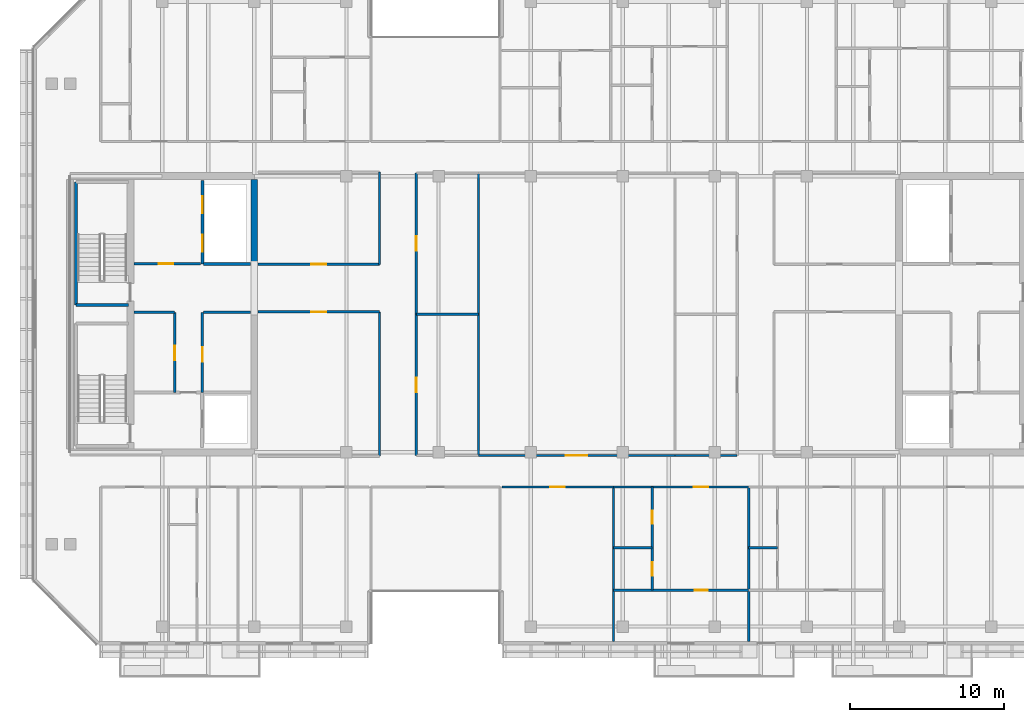
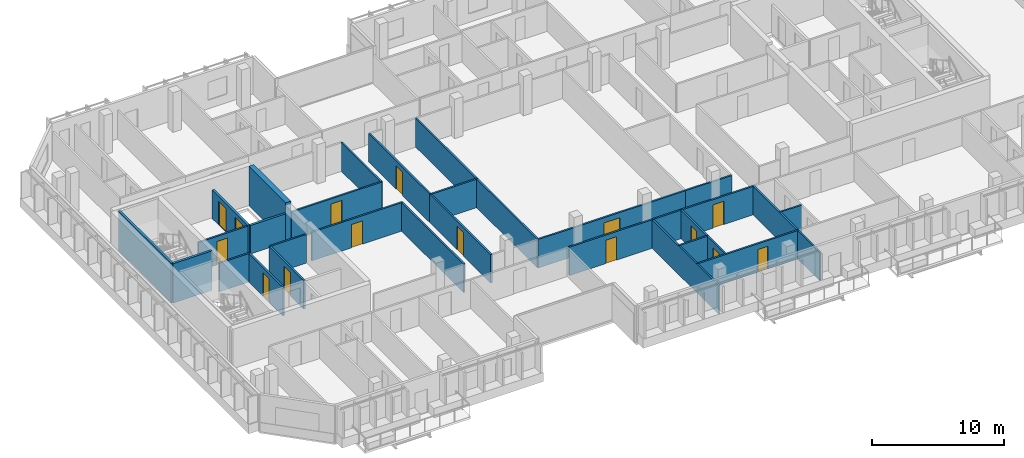
# One storey, part 7 of 17: 28 walls, 15 doors, 15 openings.
"""IFC4 building model written with IfcOpenShell, lengths in metres."""

from ifc_helpers import new_model, si_unit, direction, frame, frame_2d, origin, place, context, subcontext, project, spatial, rectangle, extrude, material, layer, layer_set, type_object, element, fill, save


model = new_model("IFC4")

# Units and contexts
model_context = context("Model", 3, precision=1e-05, world=origin(), true_north=direction((0.0, 1.0)))
body_context = subcontext(model_context, "Body", "Model", "MODEL_VIEW")
ifc_project = project(units=[si_unit("LENGTHUNIT", "METRE"), si_unit("AREAUNIT", "SQUARE_METRE"), si_unit("VOLUMEUNIT", "CUBIC_METRE"), si_unit("PLANEANGLEUNIT", "RADIAN"), si_unit("MASSUNIT", "GRAM", prefix="KILO")], contexts=[model_context])

# Site, building, storey
site_placement = place(None, origin())
site = spatial("IfcSite", under=ifc_project, at=site_placement, CompositionType="ELEMENT")
building_placement = place(site_placement, origin())
building = spatial("IfcBuilding", under=site, at=building_placement, Name="Tanjung Sevakor Pilgrim Tower", CompositionType="ELEMENT")
storey_placement = place(building_placement, frame((0.0, 0.0, 219.1201171875)))
storey = spatial("IfcBuildingStorey", under=building, at=storey_placement, Name="L61", CompositionType="ELEMENT", Elevation=219.1201171875)

# Walls
ifc_material_1 = material(Name="Concrete C60/75", Category="concrete")
ifc_layer_1 = layer(ifc_material_1, 0.449951171875)
ifc_layer_set_1 = layer_set([ifc_layer_1], Name="WALL-CW-450")
wall_type_1 = type_object("IfcWallType", Name="WALL-CW-450", PredefinedType="SHEAR", material=ifc_layer_set_1)
wall_1_placement = place(storey_placement, frame((36.0, 36.800048828125, 0.0), z_axis=(0.0, 0.0, 1.0), x_axis=(0.0, 1.0, 0.0)))
element("IfcWall", 1, at=wall_1_placement, inside=storey, type_object=wall_type_1, Name="L61 W Core Inner Shear Wall North", PredefinedType="SHEAR", context=body_context, shape_type="SweptSolid", body=[
    extrude(rectangle(XDim=5.574951171875, YDim=0.449951171875, at=frame_2d((2.78759765625, 0.0))), origin(), (0.0, 0.0, 1.0), 3.6298828125),
])
ifc_material_2 = material(Name="Concrete C40/50", Category="concrete")
ifc_layer_2 = layer(ifc_material_2, 0.14990234375)
ifc_layer_set_2 = layer_set([ifc_layer_2], Name="WT-COMP-150")
wall_type_2 = type_object("IfcWallType", Name="WT-COMP-150", PredefinedType="SOLIDWALL", material=ifc_layer_set_2)
wall_2_placement = place(storey_placement, frame((28.169921875, 33.719970703125, 0.0), z_axis=(0.0, 0.0, 1.0), x_axis=(1.0, 0.0, 0.0)))
element("IfcWall", 2, at=wall_2_placement, inside=storey, type_object=wall_type_2, Name="L61 Partition IW-L61-003", PredefinedType="SOLIDWALL", context=body_context, shape_type="SweptSolid", body=[
    extrude(rectangle(XDim=2.630126953125, YDim=0.14990234375, at=frame_2d((1.31494140625, 0.0))), origin(), (0.0, 0.0, 1.0), 2.6298828125),
])

# Wall, opening, door
wall_3_placement = place(storey_placement, frame((30.820068359375, 28.5, 0.0), z_axis=(0.0, 0.0, 1.0), x_axis=(0.0, 1.0, 0.0)))
wall_3 = element("IfcWall", 3, at=wall_3_placement, inside=storey, type_object=wall_type_2, Name="L61 Partition IW-L61-004", PredefinedType="SOLIDWALL", context=body_context, shape_type="SweptSolid", body=[
    extrude(rectangle(XDim=5.219970703125, YDim=0.14990234375, at=frame_2d((2.60986328125, 0.0))), origin(), (0.0, 0.0, 1.0), 2.6298828125),
])
opening_1_placement = place(wall_3_placement, frame((2.10009765625, 0.0, 0.0)))
opening_1 = element("IfcOpeningElement", 4, at=opening_1_placement, cuts=wall_3, Name="Opening ID-FD2", PredefinedType="OPENING", context=body_context, shape_type="SweptSolid", body=[
    extrude(rectangle(XDim=0.949951171875, YDim=2.14990234375, at=frame_2d((0.47509765625, 1.074951171875))), frame((0.0, 0.0849609375, 0.0), z_axis=(0.0, -1.0, 0.0), x_axis=(1.0, 0.0, 0.0)), (0.0, 0.0, 1.0), 0.169921875),
])
ifc_material_3 = material(Name="Fire-Rated Timber", Category="wood")
door_type_1 = type_object("IfcDoorType", Name="DT-FIRE-950", OperationType="NOTDEFINED", PredefinedType="DOOR", material=ifc_material_3)
door_1_placement = place(opening_1_placement, origin())
door_1 = element("IfcDoor", 5, at=door_1_placement, inside=storey, type_object=door_type_1, Name="L61 Housekeeping Pantry Door", OperationType="SINGLE_SWING_RIGHT", OverallHeight=2.14990234375, OverallWidth=0.949951171875, PredefinedType="DOOR", context=body_context, shape_type="SweptSolid", body=[
    extrude(rectangle(XDim=0.949951171875, YDim=2.14990234375, at=frame_2d((0.47509765625, 1.074951171875))), frame((0.0, 0.02490234375, 0.0), z_axis=(0.0, -1.0, 0.0), x_axis=(1.0, 0.0, 0.0)), (0.0, 0.0, 1.0), 0.050048828125),
])
fill(opening_1, door_1)

# Wall
wall_4_placement = place(storey_placement, frame((32.679931640625, 33.719970703125, 0.0), z_axis=(0.0, 0.0, 1.0), x_axis=(1.0, 0.0, 0.0)))
element("IfcWall", 6, at=wall_4_placement, inside=storey, type_object=wall_type_2, Name="L61 Partition IW-L61-005", PredefinedType="SOLIDWALL", context=body_context, shape_type="SweptSolid", body=[
    extrude(rectangle(XDim=3.074951171875, YDim=0.14990234375, at=frame_2d((1.53759765625, 0.0))), origin(), (0.0, 0.0, 1.0), 2.6298828125),
])

# Wall, opening, door
wall_5_placement = place(storey_placement, frame((32.6201171875, 28.5, 0.0), z_axis=(0.0, 0.0, 1.0), x_axis=(0.0, 1.0, 0.0)))
wall_5 = element("IfcWall", 7, at=wall_5_placement, inside=storey, type_object=wall_type_2, Name="L61 Partition IW-L61-006", PredefinedType="SOLIDWALL", context=body_context, shape_type="SweptSolid", body=[
    extrude(rectangle(XDim=5.219970703125, YDim=0.14990234375, at=frame_2d((2.60986328125, 0.0))), origin(), (0.0, 0.0, 1.0), 2.6298828125),
])
opening_2_placement = place(wall_5_placement, frame((2.0, 0.0, 0.0)))
opening_2 = element("IfcOpeningElement", 8, at=opening_2_placement, cuts=wall_5, Name="Opening ID-FD2", PredefinedType="OPENING", context=body_context, shape_type="SweptSolid", body=[
    extrude(rectangle(XDim=0.949951171875, YDim=2.14990234375, at=frame_2d((0.47509765625, 1.074951171875))), frame((0.0, 0.0849609375, 0.0), z_axis=(0.0, -1.0, 0.0), x_axis=(1.0, 0.0, 0.0)), (0.0, 0.0, 1.0), 0.169921875),
])
door_2_placement = place(opening_2_placement, origin())
door_2 = element("IfcDoor", 9, at=door_2_placement, inside=storey, type_object=door_type_1, Name="L61 Accessible WC Door", OperationType="SINGLE_SWING_LEFT", OverallHeight=2.14990234375, OverallWidth=0.949951171875, PredefinedType="DOOR", context=body_context, shape_type="SweptSolid", body=[
    extrude(rectangle(XDim=0.949951171875, YDim=2.14990234375, at=frame_2d((0.47509765625, 1.074951171875))), frame((0.0, 0.02490234375, 0.0), z_axis=(0.0, -1.0, 0.0), x_axis=(1.0, 0.0, 0.0)), (0.0, 0.0, 1.0), 0.050048828125),
])
fill(opening_2, door_2)

wall_6_placement = place(storey_placement, frame((28.169921875, 36.8798828125, 0.0), z_axis=(0.0, 0.0, 1.0), x_axis=(1.0, 0.0, 0.0)))
wall_6 = element("IfcWall", 10, at=wall_6_placement, inside=storey, type_object=wall_type_2, Name="L61 Partition IW-L61-007", PredefinedType="SOLIDWALL", context=body_context, shape_type="SweptSolid", body=[
    extrude(rectangle(XDim=4.330078125, YDim=0.14990234375, at=frame_2d((2.1650390625, 0.0))), origin(), (0.0, 0.0, 1.0), 2.6298828125),
])
opening_3_placement = place(wall_6_placement, frame((1.60009765625, 0.0, 0.0)))
opening_3 = element("IfcOpeningElement", 11, at=opening_3_placement, cuts=wall_6, Name="Opening ID-FD2", PredefinedType="OPENING", context=body_context, shape_type="SweptSolid", body=[
    extrude(rectangle(XDim=0.949951171875, YDim=2.14990234375, at=frame_2d((0.47509765625, 1.074951171875))), frame((0.0, 0.0849609375, 0.0), z_axis=(0.0, -1.0, 0.0), x_axis=(1.0, 0.0, 0.0)), (0.0, 0.0, 1.0), 0.169921875),
])
door_3_placement = place(opening_3_placement, origin())
door_3 = element("IfcDoor", 12, at=door_3_placement, inside=storey, type_object=door_type_1, Name="L61 Core Prayer Room Door", OperationType="SINGLE_SWING_RIGHT", OverallHeight=2.14990234375, OverallWidth=0.949951171875, PredefinedType="DOOR", context=body_context, shape_type="SweptSolid", body=[
    extrude(rectangle(XDim=0.949951171875, YDim=2.14990234375, at=frame_2d((0.47509765625, 1.074951171875))), frame((0.0, 0.02490234375, 0.0), z_axis=(0.0, -1.0, 0.0), x_axis=(1.0, 0.0, 0.0)), (0.0, 0.0, 1.0), 0.050048828125),
])
fill(opening_3, door_3)

wall_7_placement = place(storey_placement, frame((36.2451171875, 33.75, 0.0), z_axis=(0.0, 0.0, 1.0), x_axis=(1.0, 0.0, 0.0)))
wall_7 = element("IfcWall", 13, at=wall_7_placement, inside=storey, type_object=wall_type_2, Name="L61 Partition IW-L61-020", PredefinedType="SOLIDWALL", context=body_context, shape_type="SweptSolid", body=[
    extrude(rectangle(XDim=7.90478515625, YDim=0.14990234375, at=frame_2d((3.952392578125, 0.0))), origin(), (0.0, 0.0, 1.0), 2.6298828125),
])
opening_4_placement = place(wall_7_placement, frame((3.4775390625, 0.0, 0.0)))
opening_4 = element("IfcOpeningElement", 14, at=opening_4_placement, cuts=wall_7, Name="Opening ID-RM1", PredefinedType="OPENING", context=body_context, shape_type="SweptSolid", body=[
    extrude(rectangle(XDim=0.949951171875, YDim=2.14990234375, at=frame_2d((0.47509765625, 1.074951171875))), frame((0.0, 0.0849609375, 0.0), z_axis=(0.0, -1.0, 0.0), x_axis=(1.0, 0.0, 0.0)), (0.0, 0.0, 1.0), 0.169921875),
])
ifc_material_4 = material(Name="Hardwood Timber", Category="wood")
door_type_2 = type_object("IfcDoorType", Name="DT-INT-950", OperationType="NOTDEFINED", PredefinedType="DOOR", material=ifc_material_4)
door_4_placement = place(opening_4_placement, origin())
door_4 = element("IfcDoor", 15, at=door_4_placement, inside=storey, type_object=door_type_2, Name="L61 West Inboard South Door", OperationType="SINGLE_SWING_RIGHT", OverallHeight=2.14990234375, OverallWidth=0.949951171875, PredefinedType="DOOR", context=body_context, shape_type="SweptSolid", body=[
    extrude(rectangle(XDim=0.949951171875, YDim=2.14990234375, at=frame_2d((0.47509765625, 1.074951171875))), frame((0.0, 0.02490234375, 0.0), z_axis=(0.0, -1.0, 0.0), x_axis=(1.0, 0.0, 0.0)), (0.0, 0.0, 1.0), 0.050048828125),
])
fill(opening_4, door_4)

# Wall
wall_8_placement = place(storey_placement, frame((44.14990234375, 24.35009765625, 0.0), z_axis=(0.0, 0.0, 1.0), x_axis=(0.0, 1.0, 0.0)))
element("IfcWall", 16, at=wall_8_placement, inside=storey, type_object=wall_type_2, Name="L61 Partition IW-L61-021", PredefinedType="SOLIDWALL", context=body_context, shape_type="SweptSolid", body=[
    extrude(rectangle(XDim=9.39990234375, YDim=0.14990234375, at=frame_2d((4.699951171875, 0.0))), origin(), (0.0, 0.0, 1.0), 2.6298828125),
])

# Wall, opening, door
wall_9_placement = place(storey_placement, frame((36.2451171875, 36.85009765625, 0.0), z_axis=(0.0, 0.0, 1.0), x_axis=(1.0, 0.0, 0.0)))
wall_9 = element("IfcWall", 17, at=wall_9_placement, inside=storey, type_object=wall_type_2, Name="L61 Partition IW-L61-022", PredefinedType="SOLIDWALL", context=body_context, shape_type="SweptSolid", body=[
    extrude(rectangle(XDim=7.90478515625, YDim=0.14990234375, at=frame_2d((3.952392578125, 0.0))), origin(), (0.0, 0.0, 1.0), 2.6298828125),
])
opening_5_placement = place(wall_9_placement, frame((3.4775390625, 0.0, 0.0)))
opening_5 = element("IfcOpeningElement", 18, at=opening_5_placement, cuts=wall_9, Name="Opening ID-RM1", PredefinedType="OPENING", context=body_context, shape_type="SweptSolid", body=[
    extrude(rectangle(XDim=0.949951171875, YDim=2.14990234375, at=frame_2d((0.47509765625, 1.074951171875))), frame((0.0, 0.0849609375, 0.0), z_axis=(0.0, -1.0, 0.0), x_axis=(1.0, 0.0, 0.0)), (0.0, 0.0, 1.0), 0.169921875),
])
door_5_placement = place(opening_5_placement, origin())
door_5 = element("IfcDoor", 19, at=door_5_placement, inside=storey, type_object=door_type_2, Name="L61 West Inboard North Door", OperationType="SINGLE_SWING_LEFT", OverallHeight=2.14990234375, OverallWidth=0.949951171875, PredefinedType="DOOR", context=body_context, shape_type="SweptSolid", body=[
    extrude(rectangle(XDim=0.949951171875, YDim=2.14990234375, at=frame_2d((0.47509765625, 1.074951171875))), frame((0.0, 0.02490234375, 0.0), z_axis=(0.0, -1.0, 0.0), x_axis=(1.0, 0.0, 0.0)), (0.0, 0.0, 1.0), 0.050048828125),
])
fill(opening_5, door_5)

# Walls
wall_10_placement = place(storey_placement, frame((44.14990234375, 36.85009765625, 0.0), z_axis=(0.0, 0.0, 1.0), x_axis=(0.0, 1.0, 0.0)))
element("IfcWall", 20, at=wall_10_placement, inside=storey, type_object=wall_type_2, Name="L61 Partition IW-L61-024", PredefinedType="SOLIDWALL", context=body_context, shape_type="SweptSolid", body=[
    extrude(rectangle(XDim=6.0, YDim=0.14990234375, at=frame_2d((3.0, 0.0))), origin(), (0.0, 0.0, 1.0), 2.6298828125),
])
wall_11_placement = place(storey_placement, frame((46.550048828125, 33.60009765625, 0.0), z_axis=(0.0, 0.0, 1.0), x_axis=(1.0, 0.0, 0.0)))
element("IfcWall", 21, at=wall_11_placement, inside=storey, type_object=wall_type_2, Name="L61 Partition IW-L61-032", PredefinedType="SOLIDWALL", context=body_context, shape_type="SweptSolid", body=[
    extrude(rectangle(XDim=4.050048828125, YDim=0.14990234375, at=frame_2d((2.02490234375, 0.0))), origin(), (0.0, 0.0, 1.0), 2.6298828125),
])

# Wall, opening, door
wall_12_placement = place(storey_placement, frame((46.550048828125, 24.39990234375, 0.0), z_axis=(0.0, 0.0, 1.0), x_axis=(0.0, 1.0, 0.0)))
wall_12 = element("IfcWall", 22, at=wall_12_placement, inside=storey, type_object=wall_type_2, Name="L61 Partition IW-L61-033", PredefinedType="SOLIDWALL", context=body_context, shape_type="SweptSolid", body=[
    extrude(rectangle(XDim=9.2001953125, YDim=0.14990234375, at=frame_2d((4.60009765625, 0.0))), origin(), (0.0, 0.0, 1.0), 2.6298828125),
])
opening_6_placement = place(wall_12_placement, frame((4.125, 0.0, 0.0)))
opening_6 = element("IfcOpeningElement", 23, at=opening_6_placement, cuts=wall_12, Name="Opening ID-RM1", PredefinedType="OPENING", context=body_context, shape_type="SweptSolid", body=[
    extrude(rectangle(XDim=0.949951171875, YDim=2.14990234375, at=frame_2d((0.47509765625, 1.074951171875))), frame((0.0, 0.0849609375, 0.0), z_axis=(0.0, -1.0, 0.0), x_axis=(1.0, 0.0, 0.0)), (0.0, 0.0, 1.0), 0.169921875),
])
door_6_placement = place(opening_6_placement, origin())
door_6 = element("IfcDoor", 24, at=door_6_placement, inside=storey, type_object=door_type_2, Name="L61 Male Ablution Door", OperationType="SINGLE_SWING_RIGHT", OverallHeight=2.14990234375, OverallWidth=0.949951171875, PredefinedType="DOOR", context=body_context, shape_type="SweptSolid", body=[
    extrude(rectangle(XDim=0.949951171875, YDim=2.14990234375, at=frame_2d((0.47509765625, 1.074951171875))), frame((0.0, 0.02490234375, 0.0), z_axis=(0.0, -1.0, 0.0), x_axis=(1.0, 0.0, 0.0)), (0.0, 0.0, 1.0), 0.050048828125),
])
fill(opening_6, door_6)

wall_13_placement = place(storey_placement, frame((46.550048828125, 33.60009765625, 0.0), z_axis=(0.0, 0.0, 1.0), x_axis=(0.0, 1.0, 0.0)))
wall_13 = element("IfcWall", 25, at=wall_13_placement, inside=storey, type_object=wall_type_2, Name="L61 Partition IW-L61-035", PredefinedType="SOLIDWALL", context=body_context, shape_type="SweptSolid", body=[
    extrude(rectangle(XDim=9.199951171875, YDim=0.14990234375, at=frame_2d((4.60009765625, 0.0))), origin(), (0.0, 0.0, 1.0), 2.6298828125),
])
opening_7_placement = place(wall_13_placement, frame((4.125, 0.0, 0.0)))
opening_7 = element("IfcOpeningElement", 26, at=opening_7_placement, cuts=wall_13, Name="Opening ID-RM1", PredefinedType="OPENING", context=body_context, shape_type="SweptSolid", body=[
    extrude(rectangle(XDim=0.949951171875, YDim=2.14990234375, at=frame_2d((0.47509765625, 1.074951171875))), frame((0.0, 0.0849609375, 0.0), z_axis=(0.0, -1.0, 0.0), x_axis=(1.0, 0.0, 0.0)), (0.0, 0.0, 1.0), 0.169921875),
])
door_7_placement = place(opening_7_placement, origin())
door_7 = element("IfcDoor", 27, at=door_7_placement, inside=storey, type_object=door_type_2, Name="L61 Male Washroom Door", OperationType="SINGLE_SWING_LEFT", OverallHeight=2.14990234375, OverallWidth=0.949951171875, PredefinedType="DOOR", context=body_context, shape_type="SweptSolid", body=[
    extrude(rectangle(XDim=0.949951171875, YDim=2.14990234375, at=frame_2d((0.47509765625, 1.074951171875))), frame((0.0, 0.02490234375, 0.0), z_axis=(0.0, -1.0, 0.0), x_axis=(1.0, 0.0, 0.0)), (0.0, 0.0, 1.0), 0.050048828125),
])
fill(opening_7, door_7)

wall_14_placement = place(storey_placement, frame((50.60009765625, 24.39990234375, 0.0), z_axis=(0.0, 0.0, 1.0), x_axis=(1.0, 0.0, 0.0)))
wall_14 = element("IfcWall", 28, at=wall_14_placement, inside=storey, type_object=wall_type_2, Name="L61 Partition IW-L61-036", PredefinedType="SOLIDWALL", context=body_context, shape_type="SweptSolid", body=[
    extrude(rectangle(XDim=12.7998046875, YDim=0.14990234375, at=frame_2d((6.39990234375, 0.0))), origin(), (0.0, 0.0, 1.0), 2.6298828125),
])
opening_8_placement = place(wall_14_placement, frame((5.699951171875, 0.0, 0.0)))
opening_8 = element("IfcOpeningElement", 29, at=opening_8_placement, cuts=wall_14, Name="Opening ID-HD1", PredefinedType="OPENING", context=body_context, shape_type="SweptSolid", body=[
    extrude(rectangle(XDim=1.39990234375, YDim=2.14990234375, at=frame_2d((0.699951171875, 1.074951171875))), frame((0.0, 0.0849609375, 0.0), z_axis=(0.0, -1.0, 0.0), x_axis=(1.0, 0.0, 0.0)), (0.0, 0.0, 1.0), 0.169921875),
])
ifc_material_5 = material(Name="Hardwood Timber", Category="wood")
door_type_3 = type_object("IfcDoorType", Name="DT-INT-1400", OperationType="DOUBLE_DOOR_SINGLE_SWING", PredefinedType="DOOR", material=ifc_material_5)
door_8_placement = place(opening_8_placement, origin())
door_8 = element("IfcDoor", 30, at=door_8_placement, inside=storey, type_object=door_type_3, Name="L61 Sky-Prayer Sanctuary Door", OperationType="SINGLE_SWING_RIGHT", OverallHeight=2.14990234375, OverallWidth=1.39990234375, PredefinedType="DOOR", context=body_context, shape_type="SweptSolid", body=[
    extrude(rectangle(XDim=1.39990234375, YDim=2.14990234375, at=frame_2d((0.699951171875, 1.074951171875))), frame((0.0, 0.02490234375, 0.0), z_axis=(0.0, -1.0, 0.0), x_axis=(1.0, 0.0, 0.0)), (0.0, 0.0, 1.0), 0.050048828125),
])
fill(opening_8, door_8)

# Walls
wall_15_placement = place(storey_placement, frame((50.60009765625, 24.39990234375, 0.0), z_axis=(0.0, 0.0, 1.0), x_axis=(0.0, 1.0, 0.0)))
element("IfcWall", 31, at=wall_15_placement, inside=storey, type_object=wall_type_2, Name="L61 Partition IW-L61-038", PredefinedType="SOLIDWALL", context=body_context, shape_type="SweptSolid", body=[
    extrude(rectangle(XDim=18.400146484375, YDim=0.14990234375, at=frame_2d((9.2001953125, 0.0))), origin(), (0.0, 0.0, 1.0), 2.6298828125),
])
wall_16_placement = place(storey_placement, frame((63.39990234375, 24.39990234375, 0.0), z_axis=(0.0, 0.0, 1.0), x_axis=(1.0, 0.0, 0.0)))
element("IfcWall", 32, at=wall_16_placement, inside=storey, type_object=wall_type_2, Name="L61 Partition IW-L61-040", PredefinedType="SOLIDWALL", context=body_context, shape_type="SweptSolid", body=[
    extrude(rectangle(XDim=4.050048828125, YDim=0.14990234375, at=frame_2d((2.02490234375, 0.0))), origin(), (0.0, 0.0, 1.0), 2.6298828125),
])
wall_17_placement = place(storey_placement, frame((59.401123046875, 12.27001953125, 0.0), z_axis=(0.0, 0.0, 1.0), x_axis=(0.0, 1.0, 0.0)))
element("IfcWall", 33, at=wall_17_placement, inside=storey, type_object=wall_type_2, Name="L61 Partition IW-L61-062", PredefinedType="SOLIDWALL", context=body_context, shape_type="SweptSolid", body=[
    extrude(rectangle(XDim=10.080078125, YDim=0.14990234375, at=frame_2d((5.0400390625, 0.0))), origin(), (0.0, 0.0, 1.0), 2.6298828125),
])

# Wall, opening, door
wall_18_placement = place(storey_placement, frame((52.1201171875, 22.35009765625, 0.0), z_axis=(0.0, 0.0, 1.0), x_axis=(1.0, 0.0, 0.0)))
wall_18 = element("IfcWall", 34, at=wall_18_placement, inside=storey, type_object=wall_type_2, Name="L61 Partition IW-L61-063", PredefinedType="SOLIDWALL", context=body_context, shape_type="SweptSolid", body=[
    extrude(rectangle(XDim=7.281005859375, YDim=0.14990234375, at=frame_2d((3.640625, 0.0))), origin(), (0.0, 0.0, 1.0), 2.6298828125),
])
opening_9_placement = place(wall_18_placement, frame((3.16552734375, 0.0, 0.0)))
opening_9 = element("IfcOpeningElement", 35, at=opening_9_placement, cuts=wall_18, Name="Opening ID-FD2", PredefinedType="OPENING", context=body_context, shape_type="SweptSolid", body=[
    extrude(rectangle(XDim=0.949951171875, YDim=2.14990234375, at=frame_2d((0.47509765625, 1.074951171875))), frame((0.0, 0.0849609375, 0.0), z_axis=(0.0, -1.0, 0.0), x_axis=(1.0, 0.0, 0.0)), (0.0, 0.0, 1.0), 0.169921875),
])
door_9_placement = place(opening_9_placement, origin())
door_9 = element("IfcDoor", 36, at=door_9_placement, inside=storey, type_object=door_type_1, Name="Housekeeping Pantry Door", OperationType="SINGLE_SWING_LEFT", OverallHeight=2.14990234375, OverallWidth=0.949951171875, PredefinedType="DOOR", context=body_context, shape_type="SweptSolid", body=[
    extrude(rectangle(XDim=0.949951171875, YDim=2.14990234375, at=frame_2d((0.47509765625, 1.074951171875))), frame((0.0, 0.02490234375, 0.0), z_axis=(0.0, -1.0, 0.0), x_axis=(1.0, 0.0, 0.0)), (0.0, 0.0, 1.0), 0.050048828125),
])
fill(opening_9, door_9)

# Wall
wall_19_placement = place(storey_placement, frame((68.19921875, 12.27001953125, 0.0), z_axis=(0.0, 0.0, 1.0), x_axis=(0.0, 1.0, 0.0)))
element("IfcWall", 37, at=wall_19_placement, inside=storey, type_object=wall_type_2, Name="L61 Partition IW-L61-064", PredefinedType="SOLIDWALL", context=body_context, shape_type="SweptSolid", body=[
    extrude(rectangle(XDim=10.080078125, YDim=0.14990234375, at=frame_2d((5.0400390625, 0.0))), origin(), (0.0, 0.0, 1.0), 2.6298828125),
])

# Wall, opening, door
wall_20_placement = place(storey_placement, frame((59.401123046875, 22.35009765625, 0.0), z_axis=(0.0, 0.0, 1.0), x_axis=(1.0, 0.0, 0.0)))
wall_20 = element("IfcWall", 38, at=wall_20_placement, inside=storey, type_object=wall_type_2, Name="L61 Partition IW-L61-068", PredefinedType="SOLIDWALL", context=body_context, shape_type="SweptSolid", body=[
    extrude(rectangle(XDim=8.798095703125, YDim=0.14990234375, at=frame_2d((4.39892578125, 0.0))), origin(), (0.0, 0.0, 1.0), 2.6298828125),
])
opening_10_placement = place(wall_20_placement, frame((5.223388671875, 0.0, 0.0)))
opening_10 = element("IfcOpeningElement", 39, at=opening_10_placement, cuts=wall_20, Name="Opening ID-FD2", PredefinedType="OPENING", context=body_context, shape_type="SweptSolid", body=[
    extrude(rectangle(XDim=0.949951171875, YDim=2.14990234375, at=frame_2d((0.47509765625, 1.074951171875))), frame((0.0, 0.0849609375, 0.0), z_axis=(0.0, -1.0, 0.0), x_axis=(1.0, 0.0, 0.0)), (0.0, 0.0, 1.0), 0.169921875),
])
door_10_placement = place(opening_10_placement, origin())
door_10 = element("IfcDoor", 40, at=door_10_placement, inside=storey, type_object=door_type_1, Name="Residence Entrance", OperationType="SINGLE_SWING_LEFT", OverallHeight=2.14990234375, OverallWidth=0.949951171875, PredefinedType="DOOR", context=body_context, shape_type="SweptSolid", body=[
    extrude(rectangle(XDim=0.949951171875, YDim=2.14990234375, at=frame_2d((0.47509765625, 1.074951171875))), frame((0.0, 0.02490234375, 0.0), z_axis=(0.0, -1.0, 0.0), x_axis=(1.0, 0.0, 0.0)), (0.0, 0.0, 1.0), 0.050048828125),
])
fill(opening_10, door_10)

# Walls
ifc_material_6 = material(Name="Concrete C40/50", Category="concrete")
ifc_layer_3 = layer(ifc_material_6, 0.199951171875)
ifc_layer_set_3 = layer_set([ifc_layer_3], Name="WT-FIRE-200")
wall_type_3 = type_object("IfcWallType", Name="WT-FIRE-200", PredefinedType="SOLIDWALL", material=ifc_layer_set_3)
wall_21_placement = place(storey_placement, frame((24.39990234375, 34.199951171875, 0.0), z_axis=(0.0, 0.0, 1.0), x_axis=(1.0, 0.0, 0.0)))
element("IfcWall", 41, at=wall_21_placement, inside=storey, type_object=wall_type_3, Name="L61 TS-W2 Shaft Wall 1", PredefinedType="SOLIDWALL", context=body_context, shape_type="SweptSolid", body=[
    extrude(rectangle(XDim=3.400146484375, YDim=0.199951171875, at=frame_2d((1.7001953125, 0.0))), origin(), (0.0, 0.0, 1.0), 3.6298828125),
])
wall_22_placement = place(storey_placement, frame((24.39990234375, 42.199951171875, 0.0), z_axis=(0.0, 0.0, 1.0), x_axis=(0.0, -1.0, 0.0)))
element("IfcWall", 42, at=wall_22_placement, inside=storey, type_object=wall_type_3, Name="L61 TS-W2 Shaft Wall 3", PredefinedType="SOLIDWALL", context=body_context, shape_type="SweptSolid", body=[
    extrude(rectangle(XDim=8.0, YDim=0.199951171875, at=frame_2d((4.0, 0.0))), origin(), (0.0, 0.0, 1.0), 3.6298828125),
])
ifc_material_7 = material(Name="Concrete C40/50", Category="concrete")
ifc_layer_4 = layer(ifc_material_7, 0.199951171875)
ifc_layer_set_4 = layer_set([ifc_layer_4], Name="WT-FPRT-200")
wall_type_4 = type_object("IfcWallType", Name="WT-FPRT-200", PredefinedType="SOLIDWALL", material=ifc_layer_set_4)
wall_23_placement = place(storey_placement, frame((32.679931640625, 36.8798828125, 0.0), z_axis=(0.0, 0.0, 1.0), x_axis=(1.0, 0.0, 0.0)))
element("IfcWall", 43, at=wall_23_placement, inside=storey, type_object=wall_type_4, Name="L61 Partition IW-L61-008", PredefinedType="SOLIDWALL", context=body_context, shape_type="SweptSolid", body=[
    extrude(rectangle(XDim=3.074951171875, YDim=0.199951171875, at=frame_2d((1.53759765625, 0.0))), origin(), (0.0, 0.0, 1.0), 2.6298828125),
])

# Wall, openings, doors
wall_24_placement = place(storey_placement, frame((32.6201171875, 36.8798828125, 0.0), z_axis=(0.0, 0.0, 1.0), x_axis=(0.0, 1.0, 0.0)))
wall_24 = element("IfcWall", 44, at=wall_24_placement, inside=storey, type_object=wall_type_4, Name="L61 Partition IW-L61-009", PredefinedType="SOLIDWALL", context=body_context, shape_type="SweptSolid", body=[
    extrude(rectangle(XDim=5.420166015625, YDim=0.199951171875, at=frame_2d((2.7099609375, 0.0))), origin(), (0.0, 0.0, 1.0), 2.6298828125),
])
opening_11_placement = place(wall_24_placement, frame((0.800048828125, 0.0, 0.0)))
opening_11 = element("IfcOpeningElement", 45, at=opening_11_placement, cuts=wall_24, Name="Opening LD-1100", PredefinedType="OPENING", context=body_context, shape_type="SweptSolid", body=[
    extrude(rectangle(XDim=1.10009765625, YDim=2.199951171875, at=frame_2d((0.550048828125, 1.10009765625))), frame((0.0, 0.10986328125, 0.0), z_axis=(0.0, -1.0, 0.0), x_axis=(1.0, 0.0, 0.0)), (0.0, 0.0, 1.0), 0.219970703125),
])
opening_12_placement = place(wall_24_placement, frame((3.300048828125, 0.0, 0.0)))
opening_12 = element("IfcOpeningElement", 46, at=opening_12_placement, cuts=wall_24, Name="Opening LD-1100", PredefinedType="OPENING", context=body_context, shape_type="SweptSolid", body=[
    extrude(rectangle(XDim=1.10009765625, YDim=2.199951171875, at=frame_2d((0.550048828125, 1.10009765625))), frame((0.0, 0.10986328125, 0.0), z_axis=(0.0, -1.0, 0.0), x_axis=(1.0, 0.0, 0.0)), (0.0, 0.0, 1.0), 0.219970703125),
])
ifc_material_8 = material(Name="Brushed Stainless Steel S355J2", Category="steel")
door_type_4 = type_object("IfcDoorType", Name="DT-LIFT-1100", OperationType="SLIDING_TO_LEFT", PredefinedType="DOOR", material=ifc_material_8)
door_11_placement = place(opening_11_placement, origin())
door_11 = element("IfcDoor", 47, at=door_11_placement, inside=storey, type_object=door_type_4, Name="LD-PLH1-W", OperationType="SLIDING_TO_LEFT", OverallHeight=2.199951171875, OverallWidth=1.10009765625, PredefinedType="DOOR", context=body_context, shape_type="SweptSolid", body=[
    extrude(rectangle(XDim=1.10009765625, YDim=2.199951171875, at=frame_2d((0.550048828125, 1.10009765625))), frame((0.0, 0.02490234375, 0.0), z_axis=(0.0, -1.0, 0.0), x_axis=(1.0, 0.0, 0.0)), (0.0, 0.0, 1.0), 0.050048828125),
])
fill(opening_11, door_11)
door_12_placement = place(opening_12_placement, origin())
door_12 = element("IfcDoor", 48, at=door_12_placement, inside=storey, type_object=door_type_4, Name="LD-PLH2-W", OperationType="SLIDING_TO_RIGHT", OverallHeight=2.199951171875, OverallWidth=1.10009765625, PredefinedType="DOOR", context=body_context, shape_type="SweptSolid", body=[
    extrude(rectangle(XDim=1.10009765625, YDim=2.199951171875, at=frame_2d((0.550048828125, 1.10009765625))), frame((0.0, 0.02490234375, 0.0), z_axis=(0.0, -1.0, 0.0), x_axis=(1.0, 0.0, 0.0)), (0.0, 0.0, 1.0), 0.050048828125),
])
fill(opening_12, door_12)

# Wall
ifc_material_9 = material(Name="Gypsum Board Partition", Category="gypsum board")
ifc_layer_5 = layer(ifc_material_9, 0.14990234375)
ifc_layer_set_5 = layer_set([ifc_layer_5], Name="WT-PART-150")
wall_type_5 = type_object("IfcWallType", Name="WT-PART-150", PredefinedType="PARTITIONING", material=ifc_layer_set_5)
wall_25_placement = place(storey_placement, frame((59.401123046875, 18.381103515625, 0.0), z_axis=(0.0, 0.0, 1.0), x_axis=(1.0, 0.0, 0.0)))
element("IfcWall", 49, at=wall_25_placement, inside=storey, type_object=wall_type_5, Name="L61 Partition IW-L61-065", PredefinedType="PARTITIONING", context=body_context, shape_type="SweptSolid", body=[
    extrude(rectangle(XDim=2.518798828125, YDim=0.14990234375, at=frame_2d((1.25927734375, 0.0))), origin(), (0.0, 0.0, 1.0), 2.6298828125),
])

# Wall, openings, doors
wall_26_placement = place(storey_placement, frame((61.919921875, 15.623046875, 0.0), z_axis=(0.0, 0.0, 1.0), x_axis=(0.0, 1.0, 0.0)))
wall_26 = element("IfcWall", 50, at=wall_26_placement, inside=storey, type_object=wall_type_5, Name="L61 Partition IW-L61-066", PredefinedType="PARTITIONING", context=body_context, shape_type="SweptSolid", body=[
    extrude(rectangle(XDim=6.72705078125, YDim=0.14990234375, at=frame_2d((3.363525390625, 0.0))), origin(), (0.0, 0.0, 1.0), 2.6298828125),
])
opening_13_placement = place(wall_26_placement, frame((0.9541015625, 0.0, 0.0)))
opening_13 = element("IfcOpeningElement", 51, at=opening_13_placement, cuts=wall_26, Name="Opening ID-WC1", PredefinedType="OPENING", context=body_context, shape_type="SweptSolid", body=[
    extrude(rectangle(XDim=0.85009765625, YDim=2.10009765625, at=frame_2d((0.425048828125, 1.050048828125))), frame((0.0, 0.0849609375, 0.0), z_axis=(0.0, -1.0, 0.0), x_axis=(1.0, 0.0, 0.0)), (0.0, 0.0, 1.0), 0.169921875),
])
opening_14_placement = place(wall_26_placement, frame((4.317626953125, 0.0, 0.0)))
opening_14 = element("IfcOpeningElement", 52, at=opening_14_placement, cuts=wall_26, Name="Opening ID-WC1", PredefinedType="OPENING", context=body_context, shape_type="SweptSolid", body=[
    extrude(rectangle(XDim=0.85009765625, YDim=2.10009765625, at=frame_2d((0.425048828125, 1.050048828125))), frame((0.0, 0.0849609375, 0.0), z_axis=(0.0, -1.0, 0.0), x_axis=(1.0, 0.0, 0.0)), (0.0, 0.0, 1.0), 0.169921875),
])
ifc_material_10 = material(Name="Moisture-Resistant Timber", Category="wood")
door_type_5 = type_object("IfcDoorType", Name="DT-INT-850", OperationType="NOTDEFINED", PredefinedType="DOOR", material=ifc_material_10)
door_13_placement = place(opening_13_placement, origin())
door_13 = element("IfcDoor", 53, at=door_13_placement, inside=storey, type_object=door_type_5, Name="Residence Bathroom Door", OperationType="SINGLE_SWING_RIGHT", OverallHeight=2.10009765625, OverallWidth=0.85009765625, PredefinedType="DOOR", context=body_context, shape_type="SweptSolid", body=[
    extrude(rectangle(XDim=0.85009765625, YDim=2.10009765625, at=frame_2d((0.425048828125, 1.050048828125))), frame((0.0, 0.02490234375, 0.0), z_axis=(0.0, -1.0, 0.0), x_axis=(1.0, 0.0, 0.0)), (0.0, 0.0, 1.0), 0.050048828125),
])
fill(opening_13, door_13)
door_14_placement = place(opening_14_placement, origin())
door_14 = element("IfcDoor", 54, at=door_14_placement, inside=storey, type_object=door_type_5, Name="Residence Kitchenette Door", OperationType="SINGLE_SWING_LEFT", OverallHeight=2.10009765625, OverallWidth=0.85009765625, PredefinedType="DOOR", context=body_context, shape_type="SweptSolid", body=[
    extrude(rectangle(XDim=0.85009765625, YDim=2.10009765625, at=frame_2d((0.425048828125, 1.050048828125))), frame((0.0, 0.02490234375, 0.0), z_axis=(0.0, -1.0, 0.0), x_axis=(1.0, 0.0, 0.0)), (0.0, 0.0, 1.0), 0.050048828125),
])
fill(opening_14, door_14)

# Wall, opening, door
wall_27_placement = place(storey_placement, frame((59.401123046875, 15.623046875, 0.0), z_axis=(0.0, 0.0, 1.0), x_axis=(1.0, 0.0, 0.0)))
wall_27 = element("IfcWall", 55, at=wall_27_placement, inside=storey, type_object=wall_type_5, Name="L61 Partition IW-L61-067", PredefinedType="PARTITIONING", context=body_context, shape_type="SweptSolid", body=[
    extrude(rectangle(XDim=8.798095703125, YDim=0.14990234375, at=frame_2d((4.39892578125, 0.0))), origin(), (0.0, 0.0, 1.0), 2.6298828125),
])
opening_15_placement = place(wall_27_placement, frame((5.2734375, 0.0, 0.0)))
opening_15 = element("IfcOpeningElement", 56, at=opening_15_placement, cuts=wall_27, Name="Opening ID-WC1", PredefinedType="OPENING", context=body_context, shape_type="SweptSolid", body=[
    extrude(rectangle(XDim=0.85009765625, YDim=2.10009765625, at=frame_2d((0.425048828125, 1.050048828125))), frame((0.0, 0.0849609375, 0.0), z_axis=(0.0, -1.0, 0.0), x_axis=(1.0, 0.0, 0.0)), (0.0, 0.0, 1.0), 0.169921875),
])
door_15_placement = place(opening_15_placement, origin())
door_15 = element("IfcDoor", 57, at=door_15_placement, inside=storey, type_object=door_type_5, Name="Residence Bedroom Door", OperationType="SINGLE_SWING_RIGHT", OverallHeight=2.10009765625, OverallWidth=0.85009765625, PredefinedType="DOOR", context=body_context, shape_type="SweptSolid", body=[
    extrude(rectangle(XDim=0.85009765625, YDim=2.10009765625, at=frame_2d((0.425048828125, 1.050048828125))), frame((0.0, 0.02490234375, 0.0), z_axis=(0.0, -1.0, 0.0), x_axis=(1.0, 0.0, 0.0)), (0.0, 0.0, 1.0), 0.050048828125),
])
fill(opening_15, door_15)

# Wall
wall_28_placement = place(storey_placement, frame((68.19921875, 18.381103515625, 0.0), z_axis=(0.0, 0.0, 1.0), x_axis=(1.0, 0.0, 0.0)))
element("IfcWall", 58, at=wall_28_placement, inside=storey, type_object=wall_type_5, Name="L61 Partition IW-L61-070", PredefinedType="PARTITIONING", context=body_context, shape_type="SweptSolid", body=[
    extrude(rectangle(XDim=1.880859375, YDim=0.14990234375, at=frame_2d((0.9404296875, 0.0))), origin(), (0.0, 0.0, 1.0), 2.6298828125),
])

save(model, "model.ifc")
